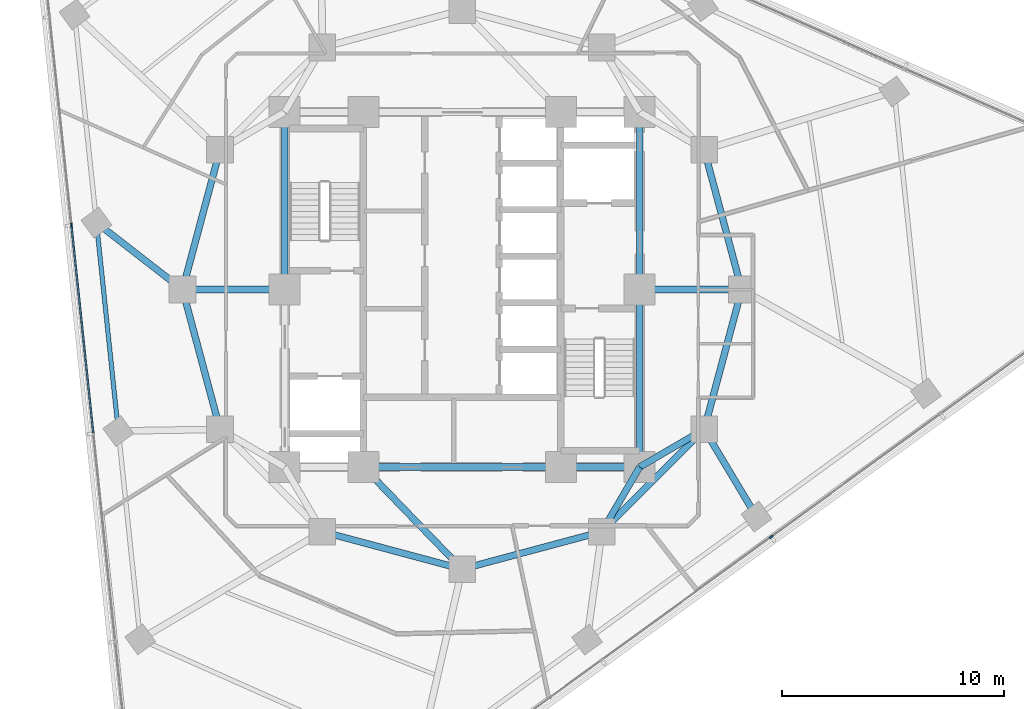
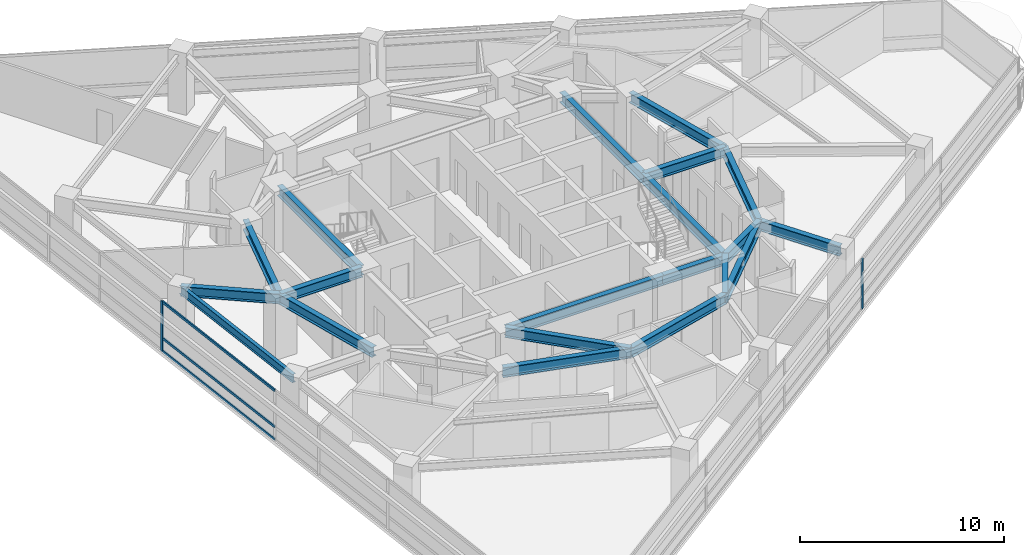
# One storey, part 3 of 14: 20 beams, 5 members, 2 elements without a shape of their own.
"""IFC4 building model written with IfcOpenShell, lengths in metres."""

from ifc_helpers import new_model, si_unit, direction, frame, origin, origin_2d, place, context, subcontext, project, spatial, rectangle, i_section, extrude, material, layer, layer_set, material_profile, profile_set, type_object, element, aggregate, save


model = new_model("IFC4")

# Units and contexts
model_context = context("Model", 3, precision=1e-05, world=origin(), true_north=direction((0.0, 1.0)))
body_context = subcontext(model_context, "Body", "Model", "MODEL_VIEW")
ifc_project = project(units=[si_unit("LENGTHUNIT", "METRE"), si_unit("AREAUNIT", "SQUARE_METRE"), si_unit("VOLUMEUNIT", "CUBIC_METRE"), si_unit("PLANEANGLEUNIT", "RADIAN"), si_unit("MASSUNIT", "GRAM", prefix="KILO")], contexts=[model_context])

# Site, building, storey
site_placement = place(None, origin())
site = spatial("IfcSite", under=ifc_project, at=site_placement, CompositionType="ELEMENT")
building_placement = place(site_placement, origin())
building = spatial("IfcBuilding", under=site, at=building_placement, Name="Terralouvre Media Tower", CompositionType="ELEMENT")
storey_placement = place(building_placement, frame((0.0, 0.0, 162.0)))
storey = spatial("IfcBuildingStorey", under=building, at=storey_placement, Name="L41", CompositionType="ELEMENT", Elevation=162.0)

# Curtain wall, members
ifc_material_1 = material(Name="Low-iron laminated double glazing with solar-control coating", Category="glass")
ifc_layer = layer(ifc_material_1, 0.1650390625, Name="Production Studio Tower Curtain Wall CW-03")
ifc_layer_set = layer_set([ifc_layer], Name="Low-iron laminated double glazing with solar-control coating")
curtain_wall_type = type_object("IfcCurtainWallType", Name="Production Studio Tower Curtain Wall CW-03", PredefinedType="NOTDEFINED", material=ifc_layer_set)
curtain_wall_1_placement = place(storey_placement, origin())
curtain_wall_1 = element("IfcCurtainWall", 1, at=curtain_wall_1_placement, inside=storey, type_object=curtain_wall_type, Name="L41 Facade Curtain Wall F2", PredefinedType="NOTDEFINED")
ifc_material_2 = material(Name="Anodised extruded aluminium 6063-T6", Category="aluminium")
ifc_material_profile_1 = material_profile(ifc_material_2, rectangle(XDim=0.074951171875, YDim=0.14990234375, at=origin_2d()), Name="ALU 75x150")
ifc_profile_set_1 = profile_set([ifc_material_profile_1], Name="Anodised extruded aluminium 6063-T6")
member_type_1 = type_object("IfcMemberType", Name="Curtain-Wall Horizontal Transom TR-150", PredefinedType="USERDEFINED", material=ifc_profile_set_1)
member_1_placement = place(storey_placement, frame((-17.6005859375, 2.8583984375, 0.03759765625), z_axis=(0.104512438861, -0.994523579471, 0.0), x_axis=(0.994523579471, 0.104512438861, 0.0)))
member_1 = element("IfcMember", 2, at=member_1_placement, type_object=member_type_1, Name="CW-03 transom 3.1", ObjectType="TRANSOM", PredefinedType="USERDEFINED", context=body_context, shape_type="SweptSolid", body=[
    extrude(rectangle(XDim=0.074951171875, YDim=0.14990234375, at=origin_2d()), origin(), (0.0, 0.0, 1.0), 9.364990234375),
])
member_2_placement = place(storey_placement, frame((-17.6005859375, 2.8583984375, 0.800048828125), z_axis=(0.104512438861, -0.994523579471, 0.0), x_axis=(0.994523579471, 0.104512438861, 0.0)))
member_2 = element("IfcMember", 3, at=member_2_placement, type_object=member_type_1, Name="CW-03 transom 3.2", ObjectType="TRANSOM", PredefinedType="USERDEFINED", context=body_context, shape_type="SweptSolid", body=[
    extrude(rectangle(XDim=0.074951171875, YDim=0.14990234375, at=origin_2d()), origin(), (0.0, 0.0, 1.0), 9.364990234375),
])
member_3_placement = place(storey_placement, frame((-17.6005859375, 2.8583984375, 2.96240234375), z_axis=(0.104512438861, -0.994523579471, 0.0), x_axis=(0.994523579471, 0.104512438861, 0.0)))
member_3 = element("IfcMember", 4, at=member_3_placement, type_object=member_type_1, Name="CW-03 transom 3.3", ObjectType="TRANSOM", PredefinedType="USERDEFINED", context=body_context, shape_type="SweptSolid", body=[
    extrude(rectangle(XDim=0.074951171875, YDim=0.14990234375, at=origin_2d()), origin(), (0.0, 0.0, 1.0), 9.364990234375),
])

# Curtain wall, member
curtain_wall_2_placement = place(storey_placement, origin())
curtain_wall_2 = element("IfcCurtainWall", 5, at=curtain_wall_2_placement, inside=storey, type_object=curtain_wall_type, Name="L41 Facade Curtain Wall F0", PredefinedType="NOTDEFINED")
ifc_material_3 = material(Name="Anodised extruded aluminium 6063-T6", Category="aluminium")
ifc_material_profile_2 = material_profile(ifc_material_3, rectangle(XDim=0.074951171875, YDim=0.179931640625, at=origin_2d()), Name="ALU 75x180")
ifc_profile_set_2 = profile_set([ifc_material_profile_2], Name="Anodised extruded aluminium 6063-T6")
member_type_2 = type_object("IfcMemberType", Name="Curtain-Wall Vertical Mullion ML-180", PredefinedType="MULLION", material=ifc_profile_set_2)
member_4_placement = place(storey_placement, frame((13.931640625, -11.145263671875, 0.0), z_axis=(0.0, 0.0, 1.0), x_axis=(-0.587785358263, 0.809016917383, 0.0)))
member_4 = element("IfcMember", 6, at=member_4_placement, type_object=member_type_2, Name="CW-03 mullion 4", PredefinedType="MULLION", context=body_context, shape_type="SweptSolid", body=[
    extrude(rectangle(XDim=0.074951171875, YDim=0.179931640625, at=origin_2d()), origin(), (0.0, 0.0, 1.0), 3.0),
])
aggregate(curtain_wall_2, [member_4])

# Member
member_5_placement = place(storey_placement, frame((-17.6044921875, 2.895751953125, 0.0), z_axis=(0.0, 0.0, 1.0), x_axis=(0.994521904516, 0.104528376236, 0.0)))
member_5 = element("IfcMember", 7, at=member_5_placement, type_object=member_type_2, Name="CW-03 mullion 3", PredefinedType="MULLION", context=body_context, shape_type="SweptSolid", body=[
    extrude(rectangle(XDim=0.074951171875, YDim=0.179931640625, at=origin_2d()), origin(), (0.0, 0.0, 1.0), 3.0),
])

aggregate(curtain_wall_1, [member_5, member_1, member_2, member_3])

# Beams
ifc_material_4 = material(Name="Structural steel S355J2", Category="steel")
ifc_material_profile_3 = material_profile(ifc_material_4, i_section(OverallWidth=0.199951171875, OverallDepth=0.5, WebThickness=0.01025390625, FlangeThickness=0.01611328125, at=origin_2d()), Name="IPE 500")
ifc_profile_set_3 = profile_set([ifc_material_profile_3], Name="Structural steel S355J2")
beam_type_1 = type_object("IfcBeamType", Name="Perimeter Spandrel Beam SPB-500 (IPE 500)", PredefinedType="SPANDREL", material=ifc_profile_set_3)
beam_1_placement = place(storey_placement, frame((-16.480712890625, 3.013916015625, 3.25), z_axis=(0.104508425148, -0.994524001255, 0.0), x_axis=(0.994524001255, 0.104508425148, 0.0)))
element("IfcBeam", 8, at=beam_1_placement, inside=storey, type_object=beam_type_1, Name="L41 Framing Beam BM-L41-PR12", PredefinedType="SPANDREL", context=body_context, shape_type="SweptSolid", body=[
    extrude(i_section(OverallWidth=0.199951171875, OverallDepth=0.5, WebThickness=0.01025390625, FlangeThickness=0.01611328125, at=origin_2d()), origin(), (0.0, 0.0, 1.0), 9.440185546875),
])
ifc_material_5 = material(Name="Structural steel S460M", Category="steel")
ifc_material_profile_4 = material_profile(ifc_material_5, i_section(OverallWidth=0.300048828125, OverallDepth=0.60009765625, WebThickness=0.015380859375, FlangeThickness=0.030029296875, at=origin_2d()), Name="HEB 600")
ifc_profile_set_4 = profile_set([ifc_material_profile_4], Name="Structural steel S460M")
beam_type_2 = type_object("IfcBeamType", Name="Primary Floor Girder B-HEB600 (HEB 600)", PredefinedType="BEAM", material=ifc_profile_set_4)
beam_2_placement = place(storey_placement, frame((-4.449951171875, -8.0, 3.199951171875), z_axis=(1.0, 0.0, 0.0), x_axis=(0.0, 1.0, 0.0)))
element("IfcBeam", 9, at=beam_2_placement, inside=storey, type_object=beam_type_2, Name="L41 Framing Beam BM-L41-CPR02", PredefinedType="BEAM", context=body_context, shape_type="SweptSolid", body=[
    extrude(i_section(OverallWidth=0.300048828125, OverallDepth=0.60009765625, WebThickness=0.015380859375, FlangeThickness=0.030029296875, at=origin_2d()), origin(), (0.0, 0.0, 1.0), 8.89990234375),
])
beam_3_placement = place(storey_placement, frame((4.449951171875, -8.0, 3.199951171875), z_axis=(1.0, 0.0, 0.0), x_axis=(0.0, 1.0, 0.0)))
element("IfcBeam", 10, at=beam_3_placement, inside=storey, type_object=beam_type_2, Name="L41 Framing Beam BM-L41-CPR03", PredefinedType="BEAM", context=body_context, shape_type="SweptSolid", body=[
    extrude(i_section(OverallWidth=0.300048828125, OverallDepth=0.60009765625, WebThickness=0.015380859375, FlangeThickness=0.030029296875, at=origin_2d()), origin(), (0.0, 0.0, 1.0), 3.550048828125),
])
for number, where, z_axis, x_axis, name in (
    (11, (8.0, -8.0, 3.199951171875), (0.0, 1.0, 0.0), (-1.0, 0.0, 0.0), "L41 Framing Beam BM-L41-CPR04"),
    (12, (8.0, 0.0, 3.199951171875), (0.0, 1.0, 0.0), (-1.0, 0.0, 0.0), "L41 Framing Beam BM-L41-CPR05"),
    (13, (-8.0, 8.0, 3.199951171875), (0.0, -1.0, 0.0), (1.0, 0.0, 0.0), "L41 Framing Beam BM-L41-CPR09"),
):
    element("IfcBeam", number, at=place(storey_placement, frame(where, z_axis=z_axis, x_axis=x_axis)), inside=storey, type_object=beam_type_2, Name=name, PredefinedType="BEAM", context=body_context, shape_type="SweptSolid", body=[
        extrude(i_section(OverallWidth=0.300048828125, OverallDepth=0.60009765625, WebThickness=0.015380859375, FlangeThickness=0.030029296875, at=origin_2d()), origin(), (0.0, 0.0, 1.0), 8.0),
    ])
for number, where, z_axis, x_axis, name in (
    (14, (-6.300048828125, -10.911865234375, 3.199951171875), (0.965920481897, -0.258838989821, 0.0), (0.258838989821, 0.965920481897, 0.0), "L41 Framing Beam BM-L41-MR02"),
    (15, (0.0, -12.60009765625, 3.199951171875), (0.965920481897, 0.258838989821, 0.0), (-0.258838989821, 0.965920481897, 0.0), "L41 Framing Beam BM-L41-MR03"),
):
    element("IfcBeam", number, at=place(storey_placement, frame(where, z_axis=z_axis, x_axis=x_axis)), inside=storey, type_object=beam_type_2, Name=name, PredefinedType="BEAM", context=body_context, shape_type="SweptSolid", body=[
        extrude(i_section(OverallWidth=0.300048828125, OverallDepth=0.60009765625, WebThickness=0.015380859375, FlangeThickness=0.030029296875, at=origin_2d()), origin(), (0.0, 0.0, 1.0), 6.522216796875),
    ])
beam_4_placement = place(storey_placement, frame((6.300048828125, -10.911865234375, 3.199951171875), z_axis=(0.707106781187, 0.707106781187, 0.0), x_axis=(-0.707106781187, 0.707106781187, 0.0)))
element("IfcBeam", 16, at=beam_4_placement, inside=storey, type_object=beam_type_2, Name="L41 Framing Beam BM-L41-MR04", PredefinedType="BEAM", context=body_context, shape_type="SweptSolid", body=[
    extrude(i_section(OverallWidth=0.300048828125, OverallDepth=0.60009765625, WebThickness=0.015380859375, FlangeThickness=0.030029296875, at=origin_2d()), origin(), (0.0, 0.0, 1.0), 6.52197265625),
])
for number, where, z_axis, x_axis, name in (
    (17, (10.911865234375, -6.300048828125, 3.199951171875), (0.258838989821, 0.965920481897, 0.0), (-0.965920481897, 0.258838989821, 0.0), "L41 Framing Beam BM-L41-MR05"),
    (18, (12.60009765625, 0.0, 3.199951171875), (-0.258838989821, 0.965920481897, 0.0), (-0.965920481897, -0.258838989821, 0.0), "L41 Framing Beam BM-L41-MR06"),
    (19, (-10.911865234375, 6.300048828125, 3.199951171875), (-0.258838989821, -0.965920481897, 0.0), (0.965920481897, -0.258838989821, 0.0), "L41 Framing Beam BM-L41-MR11"),
    (20, (-12.60009765625, 0.0, 3.199951171875), (0.258838989821, -0.965920481897, 0.0), (0.965920481897, 0.258838989821, 0.0), "L41 Framing Beam BM-L41-MR12"),
):
    element("IfcBeam", number, at=place(storey_placement, frame(where, z_axis=z_axis, x_axis=x_axis)), inside=storey, type_object=beam_type_2, Name=name, PredefinedType="BEAM", context=body_context, shape_type="SweptSolid", body=[
        extrude(i_section(OverallWidth=0.300048828125, OverallDepth=0.60009765625, WebThickness=0.015380859375, FlangeThickness=0.030029296875, at=origin_2d()), origin(), (0.0, 0.0, 1.0), 6.522216796875),
    ])
beam_5_placement = place(storey_placement, frame((-4.449951171875, -8.0, 3.199951171875), z_axis=(0.695279715726, -0.718739255155, 0.0), x_axis=(0.718739255155, 0.695279715726, 0.0)))
element("IfcBeam", 21, at=beam_5_placement, inside=storey, type_object=beam_type_2, Name="L41 Framing Beam BM-L41-CM03", PredefinedType="BEAM", context=body_context, shape_type="SweptSolid", body=[
    extrude(i_section(OverallWidth=0.300048828125, OverallDepth=0.60009765625, WebThickness=0.015380859375, FlangeThickness=0.030029296875, at=origin_2d()), origin(), (0.0, 0.0, 1.0), 6.400146484375),
])
for number, where, z_axis, x_axis, name in (
    (22, (8.0, -8.0, 3.199951171875), (-0.504172629717, -0.863602894532, 0.0), (0.863602894532, -0.504172629717, 0.0), "L41 Framing Beam BM-L41-CM04"),
    (23, (8.0, -8.0, 3.199951171875), (0.863602894532, 0.504172629717, 0.0), (-0.504172629717, 0.863602894532, 0.0), "L41 Framing Beam BM-L41-CM05"),
):
    element("IfcBeam", number, at=place(storey_placement, frame(where, z_axis=z_axis, x_axis=x_axis)), inside=storey, type_object=beam_type_2, Name=name, PredefinedType="BEAM", context=body_context, shape_type="SweptSolid", body=[
        extrude(i_section(OverallWidth=0.300048828125, OverallDepth=0.60009765625, WebThickness=0.015380859375, FlangeThickness=0.030029296875, at=origin_2d()), origin(), (0.0, 0.0, 1.0), 3.371826171875),
    ])
for number, where, z_axis, x_axis, name in (
    (24, (8.0, 0.0, 3.199951171875), (1.0, 0.0, 0.0), (0.0, 1.0, 0.0), "L41 Framing Beam BM-L41-CM06"),
    (25, (-8.0, 0.0, 3.199951171875), (-1.0, 0.0, 0.0), (0.0, -1.0, 0.0), "L41 Framing Beam BM-L41-CM12"),
):
    element("IfcBeam", number, at=place(storey_placement, frame(where, z_axis=z_axis, x_axis=x_axis)), inside=storey, type_object=beam_type_2, Name=name, PredefinedType="BEAM", context=body_context, shape_type="SweptSolid", body=[
        extrude(i_section(OverallWidth=0.300048828125, OverallDepth=0.60009765625, WebThickness=0.015380859375, FlangeThickness=0.030029296875, at=origin_2d()), origin(), (0.0, 0.0, 1.0), 4.60009765625),
    ])
beam_6_placement = place(storey_placement, frame((10.911865234375, -6.300048828125, 3.199951171875), z_axis=(0.514041286901, -0.857765443091, 0.0), x_axis=(0.857765443091, 0.514041286901, 0.0)))
element("IfcBeam", 26, at=beam_6_placement, inside=storey, type_object=beam_type_2, Name="L41 Framing Beam BM-L41-RD05", PredefinedType="BEAM", context=body_context, shape_type="SweptSolid", body=[
    extrude(i_section(OverallWidth=0.300048828125, OverallDepth=0.60009765625, WebThickness=0.015380859375, FlangeThickness=0.030029296875, at=origin_2d()), origin(), (0.0, 0.0, 1.0), 4.582763671875),
])
beam_7_placement = place(storey_placement, frame((-12.60009765625, 0.0, 3.199951171875), z_axis=(-0.78978010095, 0.613390081549, 0.0), x_axis=(-0.613390081549, -0.78978010095, 0.0)))
element("IfcBeam", 27, at=beam_7_placement, inside=storey, type_object=beam_type_2, Name="L41 Framing Beam BM-L41-RD12", PredefinedType="BEAM", context=body_context, shape_type="SweptSolid", body=[
    extrude(i_section(OverallWidth=0.300048828125, OverallDepth=0.60009765625, WebThickness=0.015380859375, FlangeThickness=0.030029296875, at=origin_2d()), origin(), (0.0, 0.0, 1.0), 4.91357421875),
])

save(model, "model.ifc")
